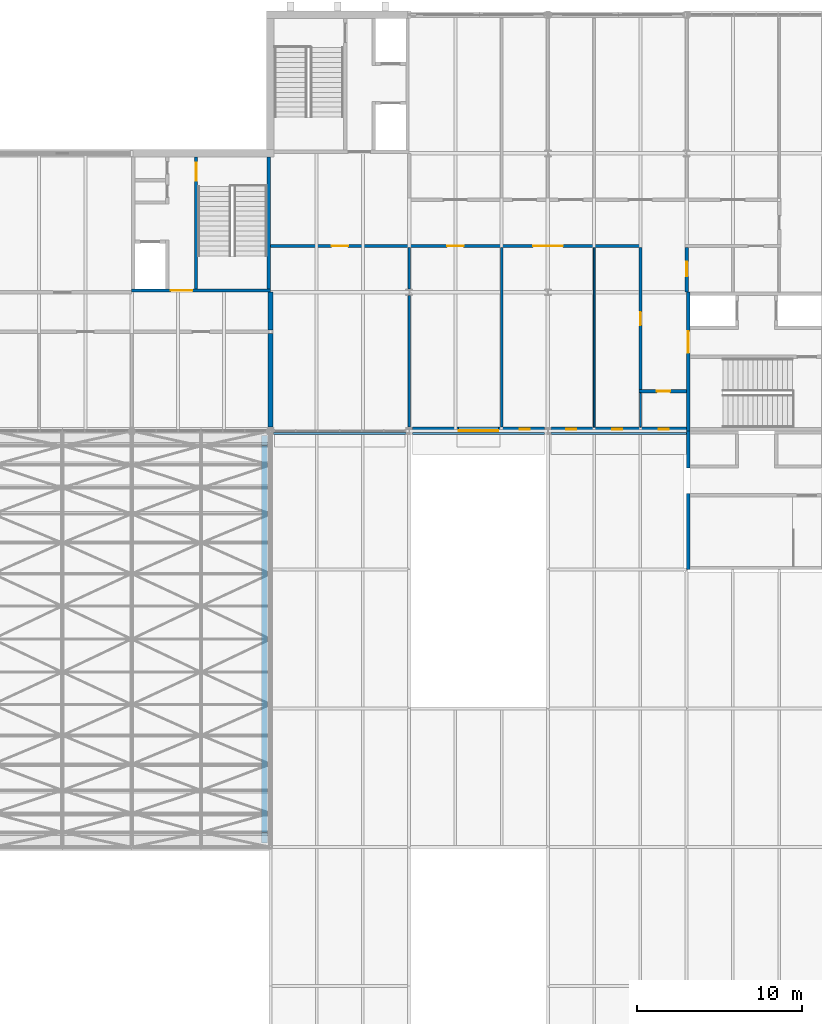
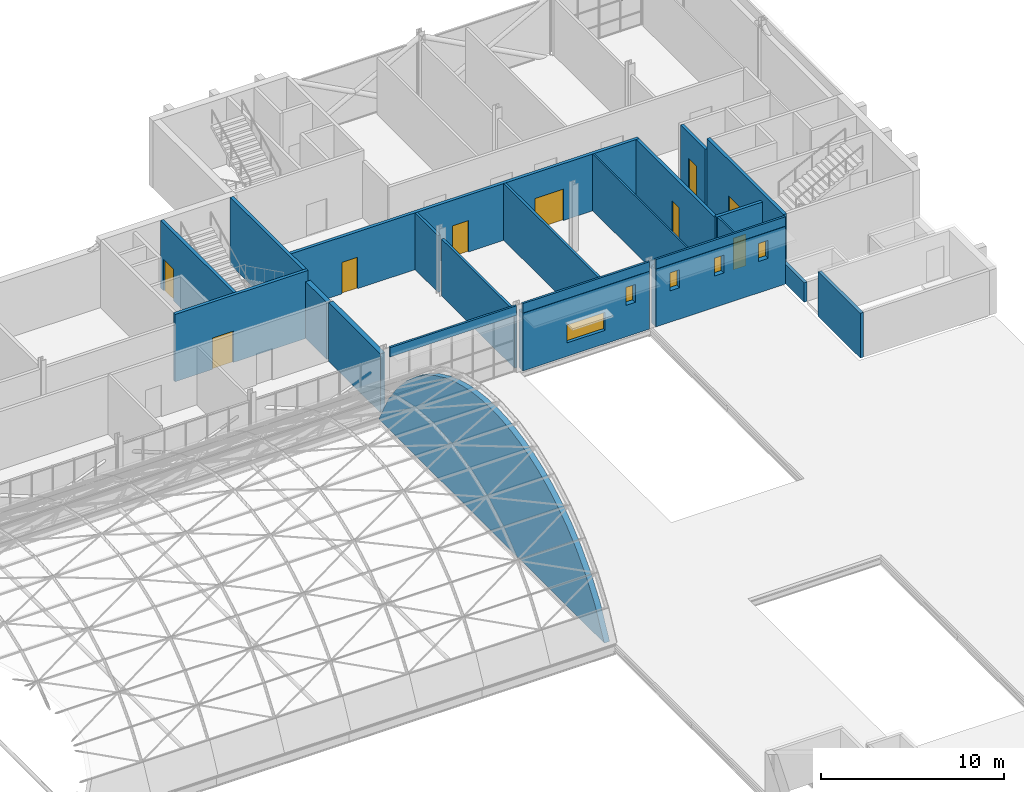
# One storey, part 87 of 121: 23 walls, 9 doors, 5 windows, 14 openings.
"""IFC4 building model written with IfcOpenShell, lengths in metres."""

from ifc_helpers import new_model, si_unit, direction, frame, frame_2d, origin, place, context, subcontext, project, spatial, polyline, rectangle, outline, extrude, material, layer, layer_set, type_object, element, fill, save


model = new_model("IFC4")

# Units and contexts
model_context = context("Model", 3, precision=1e-05, world=origin(), true_north=direction((0.0, 1.0)))
body_context = subcontext(model_context, "Body", "Model", "MODEL_VIEW")
ifc_project = project(units=[si_unit("LENGTHUNIT", "METRE"), si_unit("AREAUNIT", "SQUARE_METRE"), si_unit("VOLUMEUNIT", "CUBIC_METRE"), si_unit("PLANEANGLEUNIT", "RADIAN"), si_unit("MASSUNIT", "GRAM", prefix="KILO")], contexts=[model_context])

# Site, building, storey
site_placement = place(None, origin())
site = spatial("IfcSite", under=ifc_project, at=site_placement, CompositionType="ELEMENT")
building_placement = place(site_placement, origin())
building = spatial("IfcBuilding", under=site, at=building_placement, Name="Ardhachandra Cancer Care Centre", CompositionType="ELEMENT")
storey_placement = place(building_placement, frame((0.0, 0.0, 9.0)))
storey = spatial("IfcBuildingStorey", under=building, at=storey_placement, Name="L02", CompositionType="ELEMENT", Elevation=9.0)

# Walls
ifc_material_1 = material(Name="Brick masonry (clay brick, cement mortar)", Category="masonry")
ifc_layer_1 = layer(ifc_material_1, 0.35009765625)
ifc_layer_set_1 = layer_set([ifc_layer_1], Name="Brick masonry (clay brick, cement mortar)")
wall_type_1 = type_object("IfcWallType", Name="Brick gable wall 350", PredefinedType="SOLIDWALL", material=ifc_layer_set_1)
wall_1_placement = place(storey_placement, frame((111.2451171875, 54.60009765625, 0.0), z_axis=(0.0, 0.0, 1.0), x_axis=(0.0, 1.0, 0.0)))
element("IfcWall", 1, at=wall_1_placement, inside=storey, type_object=wall_type_1, Name="Hall gable wall east", PredefinedType="SOLIDWALL", context=body_context, shape_type="SweptSolid", body=[
    extrude(outline(polyline([(24.937255859375, 0.0), (24.937255859375, 0.0), (23.908935546875, 1.952392578125), (22.880859375, 3.3564453125), (21.852783203125, 4.453125), (20.82470703125, 5.338623046875), (19.796630859375, 6.062744140625), (18.7685546875, 6.654541015625), (17.740478515625, 7.13330078125), (16.71240234375, 7.511474609375), (15.684326171875, 7.798095703125), (14.65625, 7.9990234375), (13.628173828125, 8.1181640625), (12.60009765625, 8.15771484375), (11.572021484375, 8.1181640625), (10.543701171875, 7.9990234375), (9.515625, 7.798095703125), (8.487548828125, 7.511474609375), (7.45947265625, 7.13330078125), (6.431396484375, 6.654541015625), (5.4033203125, 6.062744140625), (4.375244140625, 5.338623046875), (3.34716796875, 4.453125), (2.319091796875, 3.3564453125), (1.291015625, 1.952392578125), (0.262939453125, 0.0), (0.262939453125, 0.0), (24.937255859375, 0.0)])), frame((0.0, 0.175048828125, 0.0), z_axis=(0.0, -1.0, 0.0), x_axis=(1.0, 0.0, 0.0)), (0.0, 0.0, 1.0), 0.35009765625),
])
ifc_material_2 = material(Name="Brick masonry", Category="masonry")
ifc_layer_2 = layer(ifc_material_2, 0.300048828125)
ifc_layer_set_2 = layer_set([ifc_layer_2], Name="Brick masonry")
wall_type_2 = type_object("IfcWallType", Name="COMPARTMENT WALL 300", PredefinedType="SOLIDWALL", material=ifc_layer_set_2)
wall_2_placement = place(storey_placement, frame((111.60009765625, 80.02490234375, 0.0), z_axis=(0.0, 0.0, 1.0), x_axis=(0.0, 1.0, 0.0)))
element("IfcWall", 2, at=wall_2_placement, inside=storey, type_object=wall_type_2, Name="R/wall/L02/v0111600_0080025", PredefinedType="SOLIDWALL", context=body_context, shape_type="SweptSolid", body=[
    extrude(rectangle(XDim=5.675048828125, YDim=0.300048828125, at=frame_2d((2.83740234375, 0.0))), origin(), (0.0, 0.0, 1.0), 3.93603515625),
])
wall_3_placement = place(storey_placement, frame((111.60009765625, 85.89990234375, 0.0), z_axis=(0.0, 0.0, 1.0), x_axis=(0.0, 1.0, 0.0)))
element("IfcWall", 3, at=wall_3_placement, inside=storey, type_object=wall_type_2, Name="R/wall/L02/v0111600_0085900", PredefinedType="SOLIDWALL", context=body_context, shape_type="SweptSolid", body=[
    extrude(rectangle(XDim=2.300048828125, YDim=0.300048828125, at=frame_2d((1.14990234375, 0.0))), origin(), (0.0, 0.0, 1.0), 3.800048828125),
])

# Wall, opening, door
ifc_material_3 = material(Name="Gypsum board corridor partition on steel studs", Category="steel")
ifc_layer_3 = layer(ifc_material_3, 0.199951171875)
ifc_layer_set_3 = layer_set([ifc_layer_3], Name="Gypsum board corridor partition on steel studs")
wall_type_3 = type_object("IfcWallType", Name="CORRIDOR WALL 200", PredefinedType="PARTITIONING", material=ifc_layer_set_3)
wall_4_placement = place(storey_placement, frame((133.89990234375, 82.199951171875, 0.0), z_axis=(0.0, 0.0, 1.0), x_axis=(1.0, 0.0, 0.0)))
wall_4 = element("IfcWall", 4, at=wall_4_placement, inside=storey, type_object=wall_type_3, Name="R/wall/L02/h0082200_0133900", PredefinedType="PARTITIONING", context=body_context, shape_type="SweptSolid", body=[
    extrude(rectangle(XDim=2.900146484375, YDim=0.199951171875, at=frame_2d((1.4501953125, 0.0))), origin(), (0.0, 0.0, 1.0), 3.949951171875),
])
opening_1_placement = place(wall_4_placement, frame((1.10009765625, 0.0, 0.0)))
opening_1 = element("IfcOpeningElement", 5, at=opening_1_placement, cuts=wall_4, Name="Opening L02-0001", PredefinedType="OPENING", context=body_context, shape_type="SweptSolid", body=[
    extrude(rectangle(XDim=0.800048828125, YDim=2.10009765625, at=frame_2d((0.39990234375, 1.050048828125))), frame((0.0, 0.10986328125, 0.0), z_axis=(0.0, -1.0, 0.0), x_axis=(1.0, 0.0, 0.0)), (0.0, 0.0, 1.0), 0.219970703125),
])
ifc_material_4 = material(Name="Timber flush fire door", Category="wood")
door_type_1 = type_object("IfcDoorType", Name="STORE DOOR 800x2100 FD30S", OperationType="NOTDEFINED", PredefinedType="DOOR", material=ifc_material_4)
door_1_placement = place(opening_1_placement, origin())
door_1 = element("IfcDoor", 6, at=door_1_placement, inside=storey, type_object=door_type_1, Name="Door L02-0001", OperationType="SINGLE_SWING_RIGHT", OverallHeight=2.10009765625, OverallWidth=0.800048828125, PredefinedType="DOOR", context=body_context, shape_type="SweptSolid", body=[
    extrude(rectangle(XDim=0.800048828125, YDim=2.10009765625, at=frame_2d((0.39990234375, 1.050048828125))), frame((0.0, 0.02490234375, 0.0), z_axis=(0.0, -1.0, 0.0), x_axis=(1.0, 0.0, 0.0)), (0.0, 0.0, 1.0), 0.050048828125),
])
fill(opening_1, door_1)

# Wall, openings, doors
wall_5_placement = place(storey_placement, frame((111.60009765625, 91.0, 0.0), z_axis=(0.0, 0.0, 1.0), x_axis=(1.0, 0.0, 0.0)))
wall_5 = element("IfcWall", 7, at=wall_5_placement, inside=storey, type_object=wall_type_3, Name="R/wall/L02/h0091000_0111600", PredefinedType="PARTITIONING", context=body_context, shape_type="SweptSolid", body=[
    extrude(rectangle(XDim=22.5, YDim=0.199951171875, at=frame_2d((11.25, 0.0))), origin(), (0.0, 0.0, 1.0), 3.800048828125),
])
opening_2_placement = place(wall_5_placement, frame((3.699951171875, 0.0, 0.0)))
opening_2 = element("IfcOpeningElement", 8, at=opening_2_placement, cuts=wall_5, Name="Opening L02-0025", PredefinedType="OPENING", context=body_context, shape_type="SweptSolid", body=[
    extrude(rectangle(XDim=1.0, YDim=2.10009765625, at=frame_2d((0.5, 1.050048828125))), frame((0.0, 0.10986328125, 0.0), z_axis=(0.0, -1.0, 0.0), x_axis=(1.0, 0.0, 0.0)), (0.0, 0.0, 1.0), 0.219970703125),
])
opening_3_placement = place(wall_5_placement, frame((10.699951171875, 0.0, 0.0)))
opening_3 = element("IfcOpeningElement", 9, at=opening_3_placement, cuts=wall_5, Name="Opening L02-0026", PredefinedType="OPENING", context=body_context, shape_type="SweptSolid", body=[
    extrude(rectangle(XDim=1.0, YDim=2.10009765625, at=frame_2d((0.5, 1.050048828125))), frame((0.0, 0.10986328125, 0.0), z_axis=(0.0, -1.0, 0.0), x_axis=(1.0, 0.0, 0.0)), (0.0, 0.0, 1.0), 0.219970703125),
])
opening_4_placement = place(wall_5_placement, frame((15.89990234375, 0.0, 0.0)))
opening_4 = element("IfcOpeningElement", 10, at=opening_4_placement, cuts=wall_5, Name="Opening L02-0027", PredefinedType="OPENING", context=body_context, shape_type="SweptSolid", body=[
    extrude(rectangle(XDim=1.800048828125, YDim=2.10009765625, at=frame_2d((0.89990234375, 1.050048828125))), frame((0.0, 0.10986328125, 0.0), z_axis=(0.0, -1.0, 0.0), x_axis=(1.0, 0.0, 0.0)), (0.0, 0.0, 1.0), 0.219970703125),
])
ifc_material_5 = material(Name="Timber fire door with smoke seals", Category="wood")
door_type_2 = type_object("IfcDoorType", Name="FIRE DOOR DOUBLE 1800x2100 FD30S", OperationType="NOTDEFINED", PredefinedType="DOOR", material=ifc_material_5)
door_2_placement = place(opening_4_placement, origin())
door_2 = element("IfcDoor", 11, at=door_2_placement, inside=storey, type_object=door_type_2, Name="Door L02-0027", OperationType="DOUBLE_DOOR_SINGLE_SWING", OverallHeight=2.10009765625, OverallWidth=1.800048828125, PredefinedType="DOOR", context=body_context, shape_type="SweptSolid", body=[
    extrude(rectangle(XDim=1.800048828125, YDim=2.10009765625, at=frame_2d((0.89990234375, 1.050048828125))), frame((0.0, 0.02490234375, 0.0), z_axis=(0.0, -1.0, 0.0), x_axis=(1.0, 0.0, 0.0)), (0.0, 0.0, 1.0), 0.050048828125),
])
fill(opening_4, door_2)
ifc_material_6 = material(Name="Timber fire door with smoke seals", Category="wood")
door_type_3 = type_object("IfcDoorType", Name="FIRE DOOR SINGLE 1000x2100 FD30S", OperationType="NOTDEFINED", PredefinedType="DOOR", material=ifc_material_6)
door_3_placement = place(opening_2_placement, origin())
door_3 = element("IfcDoor", 12, at=door_3_placement, inside=storey, type_object=door_type_3, Name="Door L02-0025", OperationType="SINGLE_SWING_LEFT", OverallHeight=2.10009765625, OverallWidth=1.0, PredefinedType="DOOR", context=body_context, shape_type="SweptSolid", body=[
    extrude(rectangle(XDim=1.0, YDim=2.10009765625, at=frame_2d((0.5, 1.050048828125))), frame((0.0, 0.02490234375, 0.0), z_axis=(0.0, -1.0, 0.0), x_axis=(1.0, 0.0, 0.0)), (0.0, 0.0, 1.0), 0.050048828125),
])
fill(opening_2, door_3)
door_4_placement = place(opening_3_placement, origin())
door_4 = element("IfcDoor", 13, at=door_4_placement, inside=storey, type_object=door_type_3, Name="Door L02-0026", OperationType="SINGLE_SWING_LEFT", OverallHeight=2.10009765625, OverallWidth=1.0, PredefinedType="DOOR", context=body_context, shape_type="SweptSolid", body=[
    extrude(rectangle(XDim=1.0, YDim=2.10009765625, at=frame_2d((0.5, 1.050048828125))), frame((0.0, 0.02490234375, 0.0), z_axis=(0.0, -1.0, 0.0), x_axis=(1.0, 0.0, 0.0)), (0.0, 0.0, 1.0), 0.050048828125),
])
fill(opening_3, door_4)

# Wall, opening, door
wall_6_placement = place(storey_placement, frame((134.0, 82.300048828125, 0.0), z_axis=(0.0, 0.0, 1.0), x_axis=(0.0, 1.0, 0.0)))
wall_6 = element("IfcWall", 14, at=wall_6_placement, inside=storey, type_object=wall_type_3, Name="R/wall/L02/v0134000_0082300", PredefinedType="PARTITIONING", context=body_context, shape_type="SweptSolid", body=[
    extrude(rectangle(XDim=8.599853515625, YDim=0.199951171875, at=frame_2d((4.2998046875, 0.0))), origin(), (0.0, 0.0, 1.0), 3.800048828125),
])
opening_5_placement = place(wall_6_placement, frame((3.89990234375, 0.0, 0.0)))
opening_5 = element("IfcOpeningElement", 15, at=opening_5_placement, cuts=wall_6, Name="Opening L02-0035", PredefinedType="OPENING", context=body_context, shape_type="SweptSolid", body=[
    extrude(rectangle(XDim=0.800048828125, YDim=2.10009765625, at=frame_2d((0.39990234375, 1.050048828125))), frame((0.0, 0.10986328125, 0.0), z_axis=(0.0, -1.0, 0.0), x_axis=(1.0, 0.0, 0.0)), (0.0, 0.0, 1.0), 0.219970703125),
])
door_5_placement = place(opening_5_placement, origin())
door_5 = element("IfcDoor", 16, at=door_5_placement, inside=storey, type_object=door_type_1, Name="Door L02-0035", OperationType="SINGLE_SWING_RIGHT", OverallHeight=2.10009765625, OverallWidth=0.800048828125, PredefinedType="DOOR", context=body_context, shape_type="SweptSolid", body=[
    extrude(rectangle(XDim=0.800048828125, YDim=2.10009765625, at=frame_2d((0.39990234375, 1.050048828125))), frame((0.0, 0.02490234375, 0.0), z_axis=(0.0, -1.0, 0.0), x_axis=(1.0, 0.0, 0.0)), (0.0, 0.0, 1.0), 0.050048828125),
])
fill(opening_5, door_5)

wall_7_placement = place(storey_placement, frame((136.800048828125, 88.199951171875, 0.0), z_axis=(0.0, 0.0, 1.0), x_axis=(0.0, 1.0, 0.0)))
wall_7 = element("IfcWall", 17, at=wall_7_placement, inside=storey, type_object=wall_type_3, Name="R/wall/L02/v0136800_0088200", PredefinedType="PARTITIONING", context=body_context, shape_type="SweptSolid", body=[
    extrude(rectangle(XDim=2.699951171875, YDim=0.199951171875, at=frame_2d((1.35009765625, 0.0))), origin(), (0.0, 0.0, 1.0), 3.800048828125),
])
opening_6_placement = place(wall_7_placement, frame((0.949951171875, 0.0, 0.0)))
opening_6 = element("IfcOpeningElement", 18, at=opening_6_placement, cuts=wall_7, Name="Opening L02-0036", PredefinedType="OPENING", context=body_context, shape_type="SweptSolid", body=[
    extrude(rectangle(XDim=0.89990234375, YDim=2.10009765625, at=frame_2d((0.449951171875, 1.050048828125))), frame((0.0, 0.10986328125, 0.0), z_axis=(0.0, -1.0, 0.0), x_axis=(1.0, 0.0, 0.0)), (0.0, 0.0, 1.0), 0.219970703125),
])
ifc_material_7 = material(Name="Timber fire door with smoke seals", Category="wood")
door_type_4 = type_object("IfcDoorType", Name="FIRE DOOR WC 900x2100 FD30S", OperationType="NOTDEFINED", PredefinedType="DOOR", material=ifc_material_7)
door_6_placement = place(opening_6_placement, origin())
door_6 = element("IfcDoor", 19, at=door_6_placement, inside=storey, type_object=door_type_4, Name="Door L02-0036", OperationType="SINGLE_SWING_LEFT", OverallHeight=2.10009765625, OverallWidth=0.89990234375, PredefinedType="DOOR", context=body_context, shape_type="SweptSolid", body=[
    extrude(rectangle(XDim=0.89990234375, YDim=2.10009765625, at=frame_2d((0.449951171875, 1.050048828125))), frame((0.0, 0.02490234375, 0.0), z_axis=(0.0, -1.0, 0.0), x_axis=(1.0, 0.0, 0.0)), (0.0, 0.0, 1.0), 0.050048828125),
])
fill(opening_6, door_6)

ifc_material_8 = material(Name="Concrete M40", Category="concrete")
ifc_layer_4 = layer(ifc_material_8, 0.199951171875)
ifc_layer_set_4 = layer_set([ifc_layer_4], Name="Concrete M40")
wall_type_4 = type_object("IfcWallType", Name="Core wall RC 200", PredefinedType="SOLIDWALL", material=ifc_layer_set_4)
wall_8_placement = place(storey_placement, frame((111.60009765625, 88.300048828125, 0.0), z_axis=(0.0, 0.0, 1.0), x_axis=(-1.0, 0.0, 0.0)))
wall_8 = element("IfcWall", 20, at=wall_8_placement, inside=storey, type_object=wall_type_4, Name="Core wall K7 ENT", PredefinedType="SOLIDWALL", context=body_context, shape_type="SweptSolid", body=[
    extrude(rectangle(XDim=8.400146484375, YDim=0.199951171875, at=frame_2d((4.2001953125, 0.0))), origin(), (0.0, 0.0, 1.0), 4.5),
])
opening_7_placement = place(wall_8_placement, frame((4.72509765625, 0.0, 0.0)))
opening_7 = element("IfcOpeningElement", 21, at=opening_7_placement, cuts=wall_8, Name="Opening L02-K07-1", PredefinedType="OPENING", context=body_context, shape_type="SweptSolid", body=[
    extrude(rectangle(XDim=1.300048828125, YDim=2.10009765625, at=frame_2d((0.64990234375, 1.050048828125))), frame((0.0, 0.10986328125, 0.0), z_axis=(0.0, -1.0, 0.0), x_axis=(1.0, 0.0, 0.0)), (0.0, 0.0, 1.0), 0.219970703125),
])
ifc_material_9 = material(Name="Steel door set", Category="steel")
door_type_5 = type_object("IfcDoorType", Name="Core entry double door 1300x2100 FD60", OperationType="DOUBLE_DOOR_DOUBLE_SWING", PredefinedType="DOOR", material=ifc_material_9)
door_7_placement = place(opening_7_placement, origin())
door_7 = element("IfcDoor", 22, at=door_7_placement, inside=storey, type_object=door_type_5, Name="Core entry door", OperationType="DOUBLE_DOOR_DOUBLE_SWING", OverallHeight=2.10009765625, OverallWidth=1.300048828125, PredefinedType="DOOR", context=body_context, shape_type="SweptSolid", body=[
    extrude(rectangle(XDim=1.300048828125, YDim=2.10009765625, at=frame_2d((0.64990234375, 1.050048828125))), frame((0.0, 0.02490234375, 0.0), z_axis=(0.0, -1.0, 0.0), x_axis=(1.0, 0.0, 0.0)), (0.0, 0.0, 1.0), 0.050048828125),
])
fill(opening_7, door_7)

# Wall
wall_9_placement = place(storey_placement, frame((111.5, 88.39990234375, 0.0), z_axis=(0.0, 0.0, 1.0), x_axis=(0.0, 1.0, 0.0)))
element("IfcWall", 23, at=wall_9_placement, inside=storey, type_object=wall_type_4, Name="Core wall K7 UW", PredefinedType="SOLIDWALL", context=body_context, shape_type="SweptSolid", body=[
    extrude(rectangle(XDim=7.97509765625, YDim=0.199951171875, at=frame_2d((3.987548828125, 0.0))), origin(), (0.0, 0.0, 1.0), 4.5),
])

# Wall, opening, door
wall_10_placement = place(storey_placement, frame((107.10009765625, 88.39990234375, 0.0), z_axis=(0.0, 0.0, 1.0), x_axis=(0.0, 1.0, 0.0)))
wall_10 = element("IfcWall", 24, at=wall_10_placement, inside=storey, type_object=wall_type_4, Name="Core wall K7 P1", PredefinedType="SOLIDWALL", context=body_context, shape_type="SweptSolid", body=[
    extrude(rectangle(XDim=7.97509765625, YDim=0.199951171875, at=frame_2d((3.987548828125, 0.0))), origin(), (0.0, 0.0, 1.0), 4.5),
])
opening_8_placement = place(wall_10_placement, frame((6.53759765625, 0.0, 0.0)))
opening_8 = element("IfcOpeningElement", 25, at=opening_8_placement, cuts=wall_10, Name="Opening L02-K07-2", PredefinedType="OPENING", context=body_context, shape_type="SweptSolid", body=[
    extrude(rectangle(XDim=1.10009765625, YDim=2.10009765625, at=frame_2d((0.550048828125, 1.050048828125))), frame((0.0, 0.10986328125, 0.0), z_axis=(0.0, -1.0, 0.0), x_axis=(1.0, 0.0, 0.0)), (0.0, 0.0, 1.0), 0.219970703125),
])
ifc_material_10 = material(Name="Steel door set", Category="steel")
door_type_6 = type_object("IfcDoorType", Name="Stair door 1100x2100 FD60S", OperationType="NOTDEFINED", PredefinedType="DOOR", material=ifc_material_10)
door_8_placement = place(opening_8_placement, origin())
door_8 = element("IfcDoor", 26, at=door_8_placement, inside=storey, type_object=door_type_6, Name="Stair door", OperationType="SINGLE_SWING_LEFT", OverallHeight=2.10009765625, OverallWidth=1.10009765625, PredefinedType="DOOR", context=body_context, shape_type="SweptSolid", body=[
    extrude(rectangle(XDim=1.10009765625, YDim=2.10009765625, at=frame_2d((0.550048828125, 1.050048828125))), frame((0.0, 0.02490234375, 0.0), z_axis=(0.0, -1.0, 0.0), x_axis=(1.0, 0.0, 0.0)), (0.0, 0.0, 1.0), 0.050048828125),
])
fill(opening_8, door_8)

# Walls
wall_11_placement = place(storey_placement, frame((136.89990234375, 71.39990234375, 0.0), z_axis=(0.0, 0.0, 1.0), x_axis=(0.0, 1.0, 0.0)))
element("IfcWall", 27, at=wall_11_placement, inside=storey, type_object=wall_type_4, Name="Stair head-house wall K10 ENT", PredefinedType="SOLIDWALL", context=body_context, shape_type="SweptSolid", body=[
    extrude(rectangle(XDim=4.60009765625, YDim=0.199951171875, at=frame_2d((2.300048828125, 0.0))), origin(), (0.0, 0.0, 1.0), 3.0),
])
wall_12_placement = place(storey_placement, frame((136.89990234375, 77.550048828125, 0.0), z_axis=(0.0, 0.0, 1.0), x_axis=(0.0, 1.0, 0.0)))
element("IfcWall", 28, at=wall_12_placement, inside=storey, type_object=wall_type_4, Name="Lift overrun wall K10A ENT", PredefinedType="SOLIDWALL", context=body_context, shape_type="SweptSolid", body=[
    extrude(rectangle(XDim=2.25, YDim=0.199951171875, at=frame_2d((1.125, 0.0))), origin(), (0.0, 0.0, 1.0), 1.300048828125),
])

# Wall, opening, door
wall_13_placement = place(storey_placement, frame((136.89990234375, 79.800048828125, 0.0), z_axis=(0.0, 0.0, 1.0), x_axis=(0.0, 1.0, 0.0)))
wall_13 = element("IfcWall", 29, at=wall_13_placement, inside=storey, type_object=wall_type_4, Name="Core wall K13 ENT", PredefinedType="SOLIDWALL", context=body_context, shape_type="SweptSolid", body=[
    extrude(rectangle(XDim=8.39990234375, YDim=0.199951171875, at=frame_2d((4.199951171875, 0.0))), origin(), (0.0, 0.0, 1.0), 4.5),
])
opening_9_placement = place(wall_13_placement, frame((4.72509765625, 0.0, 0.0)))
opening_9 = element("IfcOpeningElement", 30, at=opening_9_placement, cuts=wall_13, Name="Opening L02-K13-1", PredefinedType="OPENING", context=body_context, shape_type="SweptSolid", body=[
    extrude(rectangle(XDim=1.300048828125, YDim=2.10009765625, at=frame_2d((0.64990234375, 1.050048828125))), frame((0.0, 0.10986328125, 0.0), z_axis=(0.0, -1.0, 0.0), x_axis=(1.0, 0.0, 0.0)), (0.0, 0.0, 1.0), 0.219970703125),
])
door_9_placement = place(opening_9_placement, origin())
door_9 = element("IfcDoor", 31, at=door_9_placement, inside=storey, type_object=door_type_5, Name="Core entry door", OperationType="DOUBLE_DOOR_DOUBLE_SWING", OverallHeight=2.10009765625, OverallWidth=1.300048828125, PredefinedType="DOOR", context=body_context, shape_type="SweptSolid", body=[
    extrude(rectangle(XDim=1.300048828125, YDim=2.10009765625, at=frame_2d((0.64990234375, 1.050048828125))), frame((0.0, 0.02490234375, 0.0), z_axis=(0.0, -1.0, 0.0), x_axis=(1.0, 0.0, 0.0)), (0.0, 0.0, 1.0), 0.050048828125),
])
fill(opening_9, door_9)

# Walls
ifc_material_11 = material(Name="Precast Concrete M30 fascia panel with brick slip facing", Category="masonry")
ifc_layer_5 = layer(ifc_material_11, 0.1298828125)
ifc_layer_set_5 = layer_set([ifc_layer_5], Name="Precast Concrete M30 fascia panel with brick slip facing")
wall_type_5 = type_object("IfcWallType", Name="Edge beam fascia 130", PredefinedType="SOLIDWALL", material=ifc_layer_set_5)
for number, where, z_axis, x_axis, name in (
    (32, (111.797607421875, 79.639892578125, 3.8701171875), (0.0, 0.0, 1.0), (1.0, 0.0, 0.0), "E/fascia/L02/s/0111600_0079800"),
    (33, (120.197509765625, 79.639892578125, 3.8701171875), (0.0, 0.0, 1.0), (1.0, 0.0, 0.0), "E/fascia/L02/s/0120000_0079800"),
):
    element("IfcWall", number, at=place(storey_placement, frame(where, z_axis=z_axis, x_axis=x_axis)), inside=storey, type_object=wall_type_5, Name=name, PredefinedType="SOLIDWALL", context=body_context, shape_type="SweptSolid", body=[
        extrude(rectangle(XDim=8.0048828125, YDim=0.1298828125, at=frame_2d((4.00244140625, 0.0))), origin(), (0.0, 0.0, 1.0), 0.6298828125),
    ])
wall_14_placement = place(storey_placement, frame((128.597412109375, 79.639892578125, 3.8701171875), z_axis=(0.0, 0.0, 1.0), x_axis=(1.0, 0.0, 0.0)))
element("IfcWall", 34, at=wall_14_placement, inside=storey, type_object=wall_type_5, Name="E/fascia/L02/s/0128400_0079800", PredefinedType="SOLIDWALL", context=body_context, shape_type="SweptSolid", body=[
    extrude(rectangle(XDim=8.20263671875, YDim=0.1298828125, at=frame_2d((4.101318359375, 0.0))), origin(), (0.0, 0.0, 1.0), 0.6298828125),
])
ifc_material_12 = material(Name="Gypsum board partition on steel studs", Category="steel")
ifc_layer_6 = layer(ifc_material_12, 0.14990234375)
ifc_layer_set_6 = layer_set([ifc_layer_6], Name="Gypsum board partition on steel studs")
wall_type_6 = type_object("IfcWallType", Name="PARTITION 150", PredefinedType="PARTITIONING", material=ifc_layer_set_6)
wall_15_placement = place(storey_placement, frame((120.0, 80.02490234375, 0.0), z_axis=(0.0, 0.0, 1.0), x_axis=(0.0, 1.0, 0.0)))
element("IfcWall", 35, at=wall_15_placement, inside=storey, type_object=wall_type_6, Name="R/wall/L02/v0120000_0080025", PredefinedType="PARTITIONING", context=body_context, shape_type="SweptSolid", body=[
    extrude(rectangle(XDim=7.9775390625, YDim=0.14990234375, at=frame_2d((3.98876953125, 0.0))), origin(), (0.0, 0.0, 1.0), 3.800048828125),
])
wall_16_placement = place(storey_placement, frame((120.0, 88.3974609375, 0.0), z_axis=(0.0, 0.0, 1.0), x_axis=(0.0, 1.0, 0.0)))
element("IfcWall", 36, at=wall_16_placement, inside=storey, type_object=wall_type_6, Name="R/wall/L02/v0120000_0088398", PredefinedType="PARTITIONING", context=body_context, shape_type="SweptSolid", body=[
    extrude(rectangle(XDim=2.50244140625, YDim=0.14990234375, at=frame_2d((1.251220703125, 0.0))), origin(), (0.0, 0.0, 1.0), 3.800048828125),
])
wall_17_placement = place(storey_placement, frame((125.60009765625, 80.02490234375, 0.0), z_axis=(0.0, 0.0, 1.0), x_axis=(0.0, 1.0, 0.0)))
element("IfcWall", 37, at=wall_17_placement, inside=storey, type_object=wall_type_6, Name="R/wall/L02/v0125600_0080025", PredefinedType="PARTITIONING", context=body_context, shape_type="SweptSolid", body=[
    extrude(rectangle(XDim=10.875, YDim=0.14990234375, at=frame_2d((5.4375, 0.0))), origin(), (0.0, 0.0, 1.0), 3.800048828125),
])
ifc_material_13 = material(Name="Concrete block masonry", Category="masonry")
ifc_layer_7 = layer(ifc_material_13, 0.10009765625)
ifc_layer_set_7 = layer_set([ifc_layer_7], Name="Concrete block masonry")
wall_type_7 = type_object("IfcWallType", Name="STORE PARTITION 100", PredefinedType="SOLIDWALL", material=ifc_layer_set_7)
wall_18_placement = place(storey_placement, frame((131.199951171875, 80.02490234375, 0.0), z_axis=(0.0, 0.0, 1.0), x_axis=(0.0, 1.0, 0.0)))
element("IfcWall", 38, at=wall_18_placement, inside=storey, type_object=wall_type_7, Name="R/wall/L02/v0131200_0080025", PredefinedType="SOLIDWALL", context=body_context, shape_type="SweptSolid", body=[
    extrude(rectangle(XDim=10.875, YDim=0.10009765625, at=frame_2d((5.4375, 0.0))), origin(), (0.0, 0.0, 1.0), 3.800048828125),
])
wall_19_placement = place(storey_placement, frame((134.0, 80.02490234375, 0.0), z_axis=(0.0, 0.0, 1.0), x_axis=(0.0, 1.0, 0.0)))
element("IfcWall", 39, at=wall_19_placement, inside=storey, type_object=wall_type_7, Name="R/wall/L02/v0134000_0080025", PredefinedType="SOLIDWALL", context=body_context, shape_type="SweptSolid", body=[
    extrude(rectangle(XDim=2.0751953125, YDim=0.10009765625, at=frame_2d((1.03759765625, 0.0))), origin(), (0.0, 0.0, 1.0), 3.949951171875),
])

# Wall, openings, windows
ifc_material_14 = material(Name="Brick masonry with Concrete M30 core 150", Category="masonry")
ifc_layer_8 = layer(ifc_material_14, 0.449951171875)
ifc_layer_set_8 = layer_set([ifc_layer_8], Name="Brick masonry with Concrete M30 core 150")
wall_type_8 = type_object("IfcWallType", Name="Shielded brick wall 450", PredefinedType="SOLIDWALL", material=ifc_layer_set_8)
wall_20_placement = place(storey_placement, frame((120.197509765625, 79.800048828125, 0.0), z_axis=(0.0, 0.0, 1.0), x_axis=(1.0, 0.0, 0.0)))
wall_20 = element("IfcWall", 40, at=wall_20_placement, inside=storey, type_object=wall_type_8, Name="E/wall/L02/s/0120000_0079800", PredefinedType="SOLIDWALL", context=body_context, shape_type="SweptSolid", body=[
    extrude(rectangle(XDim=8.0048828125, YDim=0.449951171875, at=frame_2d((4.00244140625, 0.0))), origin(), (0.0, 0.0, 1.0), 3.85009765625),
])
opening_10_placement = place(wall_20_placement, frame((2.802490234375, 0.0, 0.89990234375)))
opening_10 = element("IfcOpeningElement", 41, at=opening_10_placement, cuts=wall_20, Name="Opening W9", PredefinedType="OPENING", context=body_context, shape_type="SweptSolid", body=[
    extrude(rectangle(XDim=2.39990234375, YDim=1.199951171875, at=frame_2d((1.199951171875, 0.60009765625))), frame((0.0, 0.23486328125, 0.0), z_axis=(0.0, -1.0, 0.0), x_axis=(1.0, 0.0, 0.0)), (0.0, 0.0, 1.0), 0.469970703125),
])
opening_11_placement = place(wall_20_placement, frame((6.50244140625, 0.0, 2.10009765625)))
opening_11 = element("IfcOpeningElement", 42, at=opening_11_placement, cuts=wall_20, Name="Opening W4", PredefinedType="OPENING", context=body_context, shape_type="SweptSolid", body=[
    extrude(rectangle(XDim=0.60009765625, YDim=1.199951171875, at=frame_2d((0.300048828125, 0.60009765625))), frame((0.0, 0.23486328125, 0.0), z_axis=(0.0, -1.0, 0.0), x_axis=(1.0, 0.0, 0.0)), (0.0, 0.0, 1.0), 0.469970703125),
])
ifc_material_15 = material(Name="Aluminium frame with double-glazed unit", Category="aluminium")
window_type_1 = type_object("IfcWindowType", Name="Slot window 600 x 1200", PartitioningType="SINGLE_PANEL", PredefinedType="WINDOW", material=ifc_material_15)
window_1_placement = place(opening_11_placement, origin())
window_1 = element("IfcWindow", 43, at=window_1_placement, inside=storey, type_object=window_type_1, Name="W4 window L02 s/0120000_0079800 2", OverallHeight=1.199951171875, OverallWidth=0.60009765625, PartitioningType="SINGLE_PANEL", PredefinedType="WINDOW", context=body_context, shape_type="SweptSolid", body=[
    extrude(rectangle(XDim=0.60009765625, YDim=1.199951171875, at=frame_2d((0.300048828125, 0.60009765625))), frame((0.0, 0.135009765625, 0.0), z_axis=(0.0, -1.0, 0.0), x_axis=(1.0, 0.0, 0.0)), (0.0, 0.0, 1.0), 0.06005859375),
])
fill(opening_11, window_1)
ifc_material_16 = material(Name="Steel frame with double-glazed unit (Steel E250 (IS 2062))", Category="steel")
window_type_2 = type_object("IfcWindowType", Name="Steel glazing band 2400 x 1200", PartitioningType="SINGLE_PANEL", PredefinedType="WINDOW", material=ifc_material_16)
window_2_placement = place(opening_10_placement, origin())
window_2 = element("IfcWindow", 44, at=window_2_placement, inside=storey, type_object=window_type_2, Name="W9 window L02 s/0120000_0079800 1", OverallHeight=1.199951171875, OverallWidth=2.39990234375, PartitioningType="SINGLE_PANEL", PredefinedType="WINDOW", context=body_context, shape_type="SweptSolid", body=[
    extrude(rectangle(XDim=2.39990234375, YDim=1.199951171875, at=frame_2d((1.199951171875, 0.60009765625))), frame((0.0, 0.030029296875, 0.0), z_axis=(0.0, -1.0, 0.0), x_axis=(1.0, 0.0, 0.0)), (0.0, 0.0, 1.0), 0.06005859375),
])
fill(opening_10, window_2)

wall_21_placement = place(storey_placement, frame((128.597412109375, 79.800048828125, 0.0), z_axis=(0.0, 0.0, 1.0), x_axis=(1.0, 0.0, 0.0)))
wall_21 = element("IfcWall", 45, at=wall_21_placement, inside=storey, type_object=wall_type_8, Name="E/wall/L02/s/0128400_0079800", PredefinedType="SOLIDWALL", context=body_context, shape_type="SweptSolid", body=[
    extrude(rectangle(XDim=8.20263671875, YDim=0.449951171875, at=frame_2d((4.101318359375, 0.0))), origin(), (0.0, 0.0, 1.0), 3.85009765625),
])
opening_12_placement = place(wall_21_placement, frame((0.902587890625, 0.0, 2.10009765625)))
opening_12 = element("IfcOpeningElement", 46, at=opening_12_placement, cuts=wall_21, Name="Opening W4", PredefinedType="OPENING", context=body_context, shape_type="SweptSolid", body=[
    extrude(rectangle(XDim=0.60009765625, YDim=1.199951171875, at=frame_2d((0.300048828125, 0.60009765625))), frame((0.0, 0.23486328125, 0.0), z_axis=(0.0, -1.0, 0.0), x_axis=(1.0, 0.0, 0.0)), (0.0, 0.0, 1.0), 0.469970703125),
])
opening_13_placement = place(wall_21_placement, frame((3.702392578125, 0.0, 2.10009765625)))
opening_13 = element("IfcOpeningElement", 47, at=opening_13_placement, cuts=wall_21, Name="Opening W4", PredefinedType="OPENING", context=body_context, shape_type="SweptSolid", body=[
    extrude(rectangle(XDim=0.60009765625, YDim=1.199951171875, at=frame_2d((0.300048828125, 0.60009765625))), frame((0.0, 0.23486328125, 0.0), z_axis=(0.0, -1.0, 0.0), x_axis=(1.0, 0.0, 0.0)), (0.0, 0.0, 1.0), 0.469970703125),
])
opening_14_placement = place(wall_21_placement, frame((6.50244140625, 0.0, 2.10009765625)))
opening_14 = element("IfcOpeningElement", 48, at=opening_14_placement, cuts=wall_21, Name="Opening W4", PredefinedType="OPENING", context=body_context, shape_type="SweptSolid", body=[
    extrude(rectangle(XDim=0.60009765625, YDim=1.199951171875, at=frame_2d((0.300048828125, 0.60009765625))), frame((0.0, 0.23486328125, 0.0), z_axis=(0.0, -1.0, 0.0), x_axis=(1.0, 0.0, 0.0)), (0.0, 0.0, 1.0), 0.469970703125),
])
window_3_placement = place(opening_12_placement, origin())
window_3 = element("IfcWindow", 49, at=window_3_placement, inside=storey, type_object=window_type_1, Name="W4 window L02 s/0128400_0079800 1", OverallHeight=1.199951171875, OverallWidth=0.60009765625, PartitioningType="SINGLE_PANEL", PredefinedType="WINDOW", context=body_context, shape_type="SweptSolid", body=[
    extrude(rectangle(XDim=0.60009765625, YDim=1.199951171875, at=frame_2d((0.300048828125, 0.60009765625))), frame((0.0, 0.135009765625, 0.0), z_axis=(0.0, -1.0, 0.0), x_axis=(1.0, 0.0, 0.0)), (0.0, 0.0, 1.0), 0.06005859375),
])
fill(opening_12, window_3)
window_4_placement = place(opening_13_placement, origin())
window_4 = element("IfcWindow", 50, at=window_4_placement, inside=storey, type_object=window_type_1, Name="W4 window L02 s/0128400_0079800 2", OverallHeight=1.199951171875, OverallWidth=0.60009765625, PartitioningType="SINGLE_PANEL", PredefinedType="WINDOW", context=body_context, shape_type="SweptSolid", body=[
    extrude(rectangle(XDim=0.60009765625, YDim=1.199951171875, at=frame_2d((0.300048828125, 0.60009765625))), frame((0.0, 0.135009765625, 0.0), z_axis=(0.0, -1.0, 0.0), x_axis=(1.0, 0.0, 0.0)), (0.0, 0.0, 1.0), 0.06005859375),
])
fill(opening_13, window_4)
window_5_placement = place(opening_14_placement, origin())
window_5 = element("IfcWindow", 51, at=window_5_placement, inside=storey, type_object=window_type_1, Name="W4 window L02 s/0128400_0079800 3", OverallHeight=1.199951171875, OverallWidth=0.60009765625, PartitioningType="SINGLE_PANEL", PredefinedType="WINDOW", context=body_context, shape_type="SweptSolid", body=[
    extrude(rectangle(XDim=0.60009765625, YDim=1.199951171875, at=frame_2d((0.300048828125, 0.60009765625))), frame((0.0, 0.135009765625, 0.0), z_axis=(0.0, -1.0, 0.0), x_axis=(1.0, 0.0, 0.0)), (0.0, 0.0, 1.0), 0.06005859375),
])
fill(opening_14, window_5)

save(model, "model.ifc")
